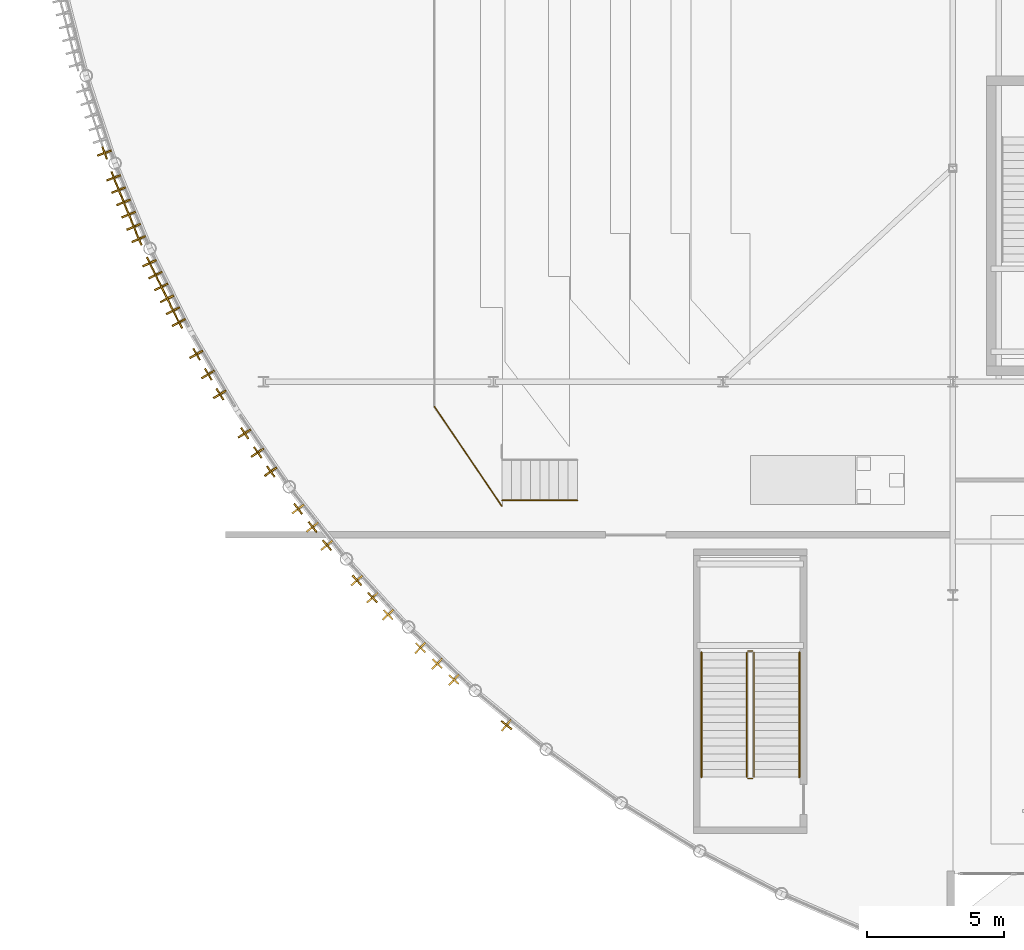
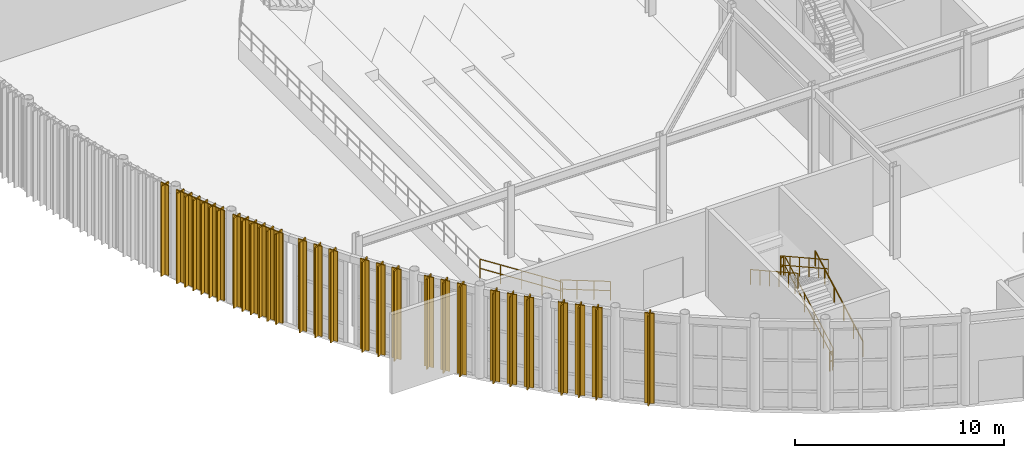
# One storey, part 77 of 87: 29 coverings, 29 shading devices, 8 railings.
"""IFC4 building model written with IfcOpenShell, lengths in metres."""

from ifc_helpers import new_model, si_unit, direction, frame, origin, origin_2d, place, context, subcontext, project, spatial, polyline, rectangle, circle, outline, extrude, material, layer, layer_set, material_profile, profile_set, type_object, element, save


model = new_model("IFC4")

# Units and contexts
model_context = context("Model", 3, precision=1e-05, world=origin(), true_north=direction((0.0, 1.0)))
body_context = subcontext(model_context, "Body", "Model", "MODEL_VIEW")
ifc_project = project(units=[si_unit("LENGTHUNIT", "METRE"), si_unit("AREAUNIT", "SQUARE_METRE"), si_unit("VOLUMEUNIT", "CUBIC_METRE"), si_unit("PLANEANGLEUNIT", "RADIAN"), si_unit("MASSUNIT", "GRAM", prefix="KILO")], contexts=[model_context])

# Site, building, storey
site_placement = place(None, origin())
site = spatial("IfcSite", under=ifc_project, at=site_placement, CompositionType="ELEMENT")
building_placement = place(site_placement, origin())
building = spatial("IfcBuilding", under=site, at=building_placement, Name="Selat Folded Stagehouse", CompositionType="ELEMENT")
storey_placement = place(building_placement, origin())
storey = spatial("IfcBuildingStorey", under=building, at=storey_placement, Name="L00", CompositionType="ELEMENT", Elevation=0.0)

# Coverings
ifc_material_1 = material(Name="Bronze-anodised aluminium 6063-T6", Category="aluminium")
ifc_layer_1 = layer(ifc_material_1, 0.06396484375)
ifc_layer_set_1 = layer_set([ifc_layer_1], Name="Bronze-anodised aluminium 6063-T6")
covering_type = type_object("IfcCoveringType", Name="COV-FIN-BRZ53", PredefinedType="CLADDING", material=ifc_layer_set_1)
covering_1_placement = place(storey_placement, frame((0.0, 0.0, 0.050048828125)))
element("IfcCovering", 1, at=covering_1_placement, inside=storey, type_object=covering_type, Name="L00 drum bronze fin cladding sheath 241", PredefinedType="CLADDING", context=body_context, shape_type="SweptSolid", body=[
    extrude(outline(polyline([(2.824951171875, 31.878173828125), (2.31640625, 31.6962890625), (2.338134765625, 31.635986328125), (2.8466796875, 31.81787109375), (2.824951171875, 31.878173828125)])), origin(), (0.0, 0.0, 1.0), 5.27001953125),
])
covering_2_placement = place(storey_placement, frame((0.0, 0.0, 0.050048828125)))
element("IfcCovering", 2, at=covering_2_placement, inside=storey, type_object=covering_type, Name="L00 drum bronze fin cladding sheath 247", PredefinedType="CLADDING", context=body_context, shape_type="SweptSolid", body=[
    extrude(outline(polyline([(3.1572265625, 30.975830078125), (2.652587890625, 30.78369140625), (2.67529296875, 30.72412109375), (3.179931640625, 30.916015625), (3.1572265625, 30.975830078125)])), origin(), (0.0, 0.0, 1.0), 5.27001953125),
])
covering_3_placement = place(storey_placement, frame((0.0, 0.0, 0.050048828125)))
element("IfcCovering", 3, at=covering_3_placement, inside=storey, type_object=covering_type, Name="L00 drum bronze fin cladding sheath 253", PredefinedType="CLADDING", context=body_context, shape_type="SweptSolid", body=[
    extrude(outline(polyline([(3.339111328125, 30.530517578125), (2.83642578125, 30.33349609375), (2.85986328125, 30.27392578125), (3.362548828125, 30.470947265625), (3.339111328125, 30.530517578125)])), origin(), (0.0, 0.0, 1.0), 5.27001953125),
])
covering_4_placement = place(storey_placement, frame((0.0, 0.0, 0.050048828125)))
element("IfcCovering", 4, at=covering_4_placement, inside=storey, type_object=covering_type, Name="L00 drum bronze fin cladding sheath 259", PredefinedType="CLADDING", context=body_context, shape_type="SweptSolid", body=[
    extrude(outline(polyline([(3.521240234375, 30.085205078125), (3.0205078125, 29.883056640625), (3.04443359375, 29.82373046875), (3.545166015625, 30.02587890625), (3.521240234375, 30.085205078125)])), origin(), (0.0, 0.0, 1.0), 5.27001953125),
])
covering_5_placement = place(storey_placement, frame((0.0, 0.0, 0.050048828125)))
element("IfcCovering", 5, at=covering_5_placement, inside=storey, type_object=covering_type, Name="L00 drum bronze fin cladding sheath 265", PredefinedType="CLADDING", context=body_context, shape_type="SweptSolid", body=[
    extrude(outline(polyline([(3.703125, 29.639892578125), (3.20458984375, 29.4326171875), (3.22900390625, 29.37353515625), (3.727783203125, 29.580810546875), (3.703125, 29.639892578125)])), origin(), (0.0, 0.0, 1.0), 5.27001953125),
])
covering_6_placement = place(storey_placement, frame((0.0, 0.0, 0.050048828125)))
element("IfcCovering", 6, at=covering_6_placement, inside=storey, type_object=covering_type, Name="L00 drum bronze fin cladding sheath 271", PredefinedType="CLADDING", context=body_context, shape_type="SweptSolid", body=[
    extrude(outline(polyline([(3.885009765625, 29.194580078125), (3.388427734375, 28.982421875), (3.413818359375, 28.923583984375), (3.910400390625, 29.135498046875), (3.885009765625, 29.194580078125)])), origin(), (0.0, 0.0, 1.0), 5.27001953125),
])
covering_7_placement = place(storey_placement, frame((0.0, 0.0, 0.050048828125)))
element("IfcCovering", 7, at=covering_7_placement, inside=storey, type_object=covering_type, Name="L00 drum bronze fin cladding sheath 277", PredefinedType="CLADDING", context=body_context, shape_type="SweptSolid", body=[
    extrude(outline(polyline([(4.067138671875, 28.7490234375), (3.57275390625, 28.531982421875), (3.598388671875, 28.473388671875), (4.0927734375, 28.6904296875), (4.067138671875, 28.7490234375)])), origin(), (0.0, 0.0, 1.0), 5.27001953125),
])
covering_8_placement = place(storey_placement, frame((0.0, 0.0, 0.050048828125)))
element("IfcCovering", 8, at=covering_8_placement, inside=storey, type_object=covering_type, Name="L00 drum bronze fin cladding sheath 283", PredefinedType="CLADDING", context=body_context, shape_type="SweptSolid", body=[
    extrude(outline(polyline([(4.4619140625, 27.872314453125), (3.9716796875, 27.6455078125), (3.998779296875, 27.58740234375), (4.48876953125, 27.814208984375), (4.4619140625, 27.872314453125)])), origin(), (0.0, 0.0, 1.0), 5.27001953125),
])
covering_9_placement = place(storey_placement, frame((0.0, 0.0, 0.050048828125)))
element("IfcCovering", 9, at=covering_9_placement, inside=storey, type_object=covering_type, Name="L00 drum bronze fin cladding sheath 289", PredefinedType="CLADDING", context=body_context, shape_type="SweptSolid", body=[
    extrude(outline(polyline([(4.674560546875, 27.44091796875), (4.18701171875, 27.208984375), (4.21435546875, 27.151123046875), (4.7021484375, 27.383056640625), (4.674560546875, 27.44091796875)])), origin(), (0.0, 0.0, 1.0), 5.27001953125),
])
covering_10_placement = place(storey_placement, frame((0.0, 0.0, 0.050048828125)))
element("IfcCovering", 10, at=covering_10_placement, inside=storey, type_object=covering_type, Name="L00 drum bronze fin cladding sheath 295", PredefinedType="CLADDING", context=body_context, shape_type="SweptSolid", body=[
    extrude(outline(polyline([(4.887451171875, 27.00927734375), (4.402099609375, 26.772705078125), (4.43017578125, 26.715087890625), (4.915283203125, 26.951904296875), (4.887451171875, 27.00927734375)])), origin(), (0.0, 0.0, 1.0), 5.27001953125),
])
covering_11_placement = place(storey_placement, frame((0.0, 0.0, 0.050048828125)))
element("IfcCovering", 11, at=covering_11_placement, inside=storey, type_object=covering_type, Name="L00 drum bronze fin cladding sheath 301", PredefinedType="CLADDING", context=body_context, shape_type="SweptSolid", body=[
    extrude(outline(polyline([(5.10009765625, 26.577880859375), (4.6171875, 26.336181640625), (4.645751953125, 26.279052734375), (5.12890625, 26.5205078125), (5.10009765625, 26.577880859375)])), origin(), (0.0, 0.0, 1.0), 5.27001953125),
])
covering_12_placement = place(storey_placement, frame((0.0, 0.0, 0.050048828125)))
element("IfcCovering", 12, at=covering_12_placement, inside=storey, type_object=covering_type, Name="L00 drum bronze fin cladding sheath 307", PredefinedType="CLADDING", context=body_context, shape_type="SweptSolid", body=[
    extrude(outline(polyline([(5.31298828125, 26.146484375), (4.83251953125, 25.89990234375), (4.861572265625, 25.843017578125), (5.342041015625, 26.08935546875), (5.31298828125, 26.146484375)])), origin(), (0.0, 0.0, 1.0), 5.27001953125),
])
covering_13_placement = place(storey_placement, frame((0.0, 0.0, 0.050048828125)))
element("IfcCovering", 13, at=covering_13_placement, inside=storey, type_object=covering_type, Name="L00 drum bronze fin cladding sheath 313", PredefinedType="CLADDING", context=body_context, shape_type="SweptSolid", body=[
    extrude(outline(polyline([(5.525634765625, 25.71484375), (5.047607421875, 25.463623046875), (5.077392578125, 25.406982421875), (5.555419921875, 25.658203125), (5.525634765625, 25.71484375)])), origin(), (0.0, 0.0, 1.0), 5.27001953125),
])
covering_14_placement = place(storey_placement, frame((0.0, 0.0, 0.050048828125)))
element("IfcCovering", 14, at=covering_14_placement, inside=storey, type_object=covering_type, Name="L00 drum bronze fin cladding sheath 319", PredefinedType="CLADDING", context=body_context, shape_type="SweptSolid", body=[
    extrude(outline(polyline([(6.162841796875, 24.556396484375), (5.69189453125, 24.2919921875), (5.72314453125, 24.236083984375), (6.194091796875, 24.50048828125), (6.162841796875, 24.556396484375)])), origin(), (0.0, 0.0, 1.0), 5.27001953125),
])
covering_15_placement = place(storey_placement, frame((0.0, 0.0, 0.050048828125)))
element("IfcCovering", 15, at=covering_15_placement, inside=storey, type_object=covering_type, Name="L00 drum bronze fin cladding sheath 325", PredefinedType="CLADDING", context=body_context, shape_type="SweptSolid", body=[
    extrude(outline(polyline([(6.587158203125, 23.8291015625), (6.12109375, 23.556640625), (6.1533203125, 23.50146484375), (6.619384765625, 23.77392578125), (6.587158203125, 23.8291015625)])), origin(), (0.0, 0.0, 1.0), 5.27001953125),
])
covering_16_placement = place(storey_placement, frame((0.0, 0.0, 0.050048828125)))
element("IfcCovering", 16, at=covering_16_placement, inside=storey, type_object=covering_type, Name="L00 drum bronze fin cladding sheath 331", PredefinedType="CLADDING", context=body_context, shape_type="SweptSolid", body=[
    extrude(outline(polyline([(7.01171875, 23.10205078125), (6.55029296875, 22.8212890625), (6.58349609375, 22.7666015625), (7.044921875, 23.04736328125), (7.01171875, 23.10205078125)])), origin(), (0.0, 0.0, 1.0), 5.27001953125),
])
covering_17_placement = place(storey_placement, frame((0.0, 0.0, 0.050048828125)))
element("IfcCovering", 17, at=covering_17_placement, inside=storey, type_object=covering_type, Name="L00 drum bronze fin cladding sheath 337", PredefinedType="CLADDING", context=body_context, shape_type="SweptSolid", body=[
    extrude(outline(polyline([(7.910400390625, 21.679443359375), (7.458984375, 21.3828125), (7.494384765625, 21.329345703125), (7.945556640625, 21.6259765625), (7.910400390625, 21.679443359375)])), origin(), (0.0, 0.0, 1.0), 5.27001953125),
])
covering_18_placement = place(storey_placement, frame((0.0, 0.0, 0.050048828125)))
element("IfcCovering", 18, at=covering_18_placement, inside=storey, type_object=covering_type, Name="L00 drum bronze fin cladding sheath 343", PredefinedType="CLADDING", context=body_context, shape_type="SweptSolid", body=[
    extrude(outline(polyline([(8.384765625, 20.98388671875), (7.938720703125, 20.67919921875), (7.974853515625, 20.62646484375), (8.4208984375, 20.930908203125), (8.384765625, 20.98388671875)])), origin(), (0.0, 0.0, 1.0), 5.27001953125),
])
covering_19_placement = place(storey_placement, frame((0.0, 0.0, 0.050048828125)))
element("IfcCovering", 19, at=covering_19_placement, inside=storey, type_object=covering_type, Name="L00 drum bronze fin cladding sheath 349", PredefinedType="CLADDING", context=body_context, shape_type="SweptSolid", body=[
    extrude(outline(polyline([(8.85888671875, 20.288330078125), (8.41845703125, 19.97607421875), (8.45556640625, 19.923828125), (8.89599609375, 20.236083984375), (8.85888671875, 20.288330078125)])), origin(), (0.0, 0.0, 1.0), 5.27001953125),
])
covering_20_placement = place(storey_placement, frame((0.0, 0.0, 0.050048828125)))
element("IfcCovering", 20, at=covering_20_placement, inside=storey, type_object=covering_type, Name="L00 drum bronze fin cladding sheath 355", PredefinedType="CLADDING", context=body_context, shape_type="SweptSolid", body=[
    extrude(outline(polyline([(9.855224609375, 18.93212890625), (9.426025390625, 18.6044921875), (9.46484375, 18.5537109375), (9.89404296875, 18.88134765625), (9.855224609375, 18.93212890625)])), origin(), (0.0, 0.0, 1.0), 5.27001953125),
])
covering_21_placement = place(storey_placement, frame((0.0, 0.0, 0.050048828125)))
element("IfcCovering", 21, at=covering_21_placement, inside=storey, type_object=covering_type, Name="L00 drum bronze fin cladding sheath 361", PredefinedType="CLADDING", context=body_context, shape_type="SweptSolid", body=[
    extrude(outline(polyline([(10.377197265625, 18.271484375), (9.953857421875, 17.9365234375), (9.993408203125, 17.88623046875), (10.4169921875, 18.221435546875), (10.377197265625, 18.271484375)])), origin(), (0.0, 0.0, 1.0), 5.27001953125),
])
covering_22_placement = place(storey_placement, frame((0.0, 0.0, 0.050048828125)))
element("IfcCovering", 22, at=covering_22_placement, inside=storey, type_object=covering_type, Name="L00 drum bronze fin cladding sheath 367", PredefinedType="CLADDING", context=body_context, shape_type="SweptSolid", body=[
    extrude(outline(polyline([(10.899169921875, 17.611083984375), (10.481689453125, 17.2685546875), (10.522216796875, 17.218994140625), (10.939697265625, 17.5615234375), (10.899169921875, 17.611083984375)])), origin(), (0.0, 0.0, 1.0), 5.27001953125),
])
covering_23_placement = place(storey_placement, frame((0.0, 0.0, 0.050048828125)))
element("IfcCovering", 23, at=covering_23_placement, inside=storey, type_object=covering_type, Name="L00 drum bronze fin cladding sheath 373", PredefinedType="CLADDING", context=body_context, shape_type="SweptSolid", body=[
    extrude(outline(polyline([(11.98828125, 16.328125), (11.5830078125, 15.97119140625), (11.625244140625, 15.923095703125), (12.030517578125, 16.280029296875), (11.98828125, 16.328125)])), origin(), (0.0, 0.0, 1.0), 5.27001953125),
])
covering_24_placement = place(storey_placement, frame((0.0, 0.0, 0.050048828125)))
element("IfcCovering", 24, at=covering_24_placement, inside=storey, type_object=covering_type, Name="L00 drum bronze fin cladding sheath 379", PredefinedType="CLADDING", context=body_context, shape_type="SweptSolid", body=[
    extrude(outline(polyline([(12.555419921875, 15.705810546875), (12.15625, 15.341796875), (12.199462890625, 15.294677734375), (12.598388671875, 15.658447265625), (12.555419921875, 15.705810546875)])), origin(), (0.0, 0.0, 1.0), 5.27001953125),
])
covering_25_placement = place(storey_placement, frame((0.0, 0.0, 0.050048828125)))
element("IfcCovering", 25, at=covering_25_placement, inside=storey, type_object=covering_type, Name="L00 drum bronze fin cladding sheath 385", PredefinedType="CLADDING", context=body_context, shape_type="SweptSolid", body=[
    extrude(outline(polyline([(13.122314453125, 15.08349609375), (12.729736328125, 14.712646484375), (12.773681640625, 14.666015625), (13.166259765625, 15.037109375), (13.122314453125, 15.08349609375)])), origin(), (0.0, 0.0, 1.0), 5.27001953125),
])
covering_26_placement = place(storey_placement, frame((0.0, 0.0, 0.050048828125)))
element("IfcCovering", 26, at=covering_26_placement, inside=storey, type_object=covering_type, Name="L00 drum bronze fin cladding sheath 391", PredefinedType="CLADDING", context=body_context, shape_type="SweptSolid", body=[
    extrude(outline(polyline([(14.298583984375, 13.880126953125), (13.919189453125, 13.49560546875), (13.96484375, 13.45068359375), (14.343994140625, 13.835205078125), (14.298583984375, 13.880126953125)])), origin(), (0.0, 0.0, 1.0), 5.27001953125),
])
covering_27_placement = place(storey_placement, frame((0.0, 0.0, 0.050048828125)))
element("IfcCovering", 27, at=covering_27_placement, inside=storey, type_object=covering_type, Name="L00 drum bronze fin cladding sheath 397", PredefinedType="CLADDING", context=body_context, shape_type="SweptSolid", body=[
    extrude(outline(polyline([(14.90771484375, 13.299072265625), (14.535400390625, 12.908203125), (14.581787109375, 12.864013671875), (14.9541015625, 13.2548828125), (14.90771484375, 13.299072265625)])), origin(), (0.0, 0.0, 1.0), 5.27001953125),
])
covering_28_placement = place(storey_placement, frame((0.0, 0.0, 0.050048828125)))
element("IfcCovering", 28, at=covering_28_placement, inside=storey, type_object=covering_type, Name="L00 drum bronze fin cladding sheath 403", PredefinedType="CLADDING", context=body_context, shape_type="SweptSolid", body=[
    extrude(outline(polyline([(15.51708984375, 12.718017578125), (15.151611328125, 12.320556640625), (15.19873046875, 12.277099609375), (15.564208984375, 12.6748046875), (15.51708984375, 12.718017578125)])), origin(), (0.0, 0.0, 1.0), 5.27001953125),
])
covering_29_placement = place(storey_placement, frame((0.0, 0.0, 0.050048828125)))
element("IfcCovering", 29, at=covering_29_placement, inside=storey, type_object=covering_type, Name="L00 drum bronze fin cladding sheath 409", PredefinedType="CLADDING", context=body_context, shape_type="SweptSolid", body=[
    extrude(outline(polyline([(17.42333984375, 11.0634765625), (17.079345703125, 10.647216796875), (17.128662109375, 10.6064453125), (17.47265625, 11.022705078125), (17.42333984375, 11.0634765625)])), origin(), (0.0, 0.0, 1.0), 5.27001953125),
])

# Railings
ifc_material_2 = material(Name="Bronze-anodised steel balustrade", Category="steel")
ifc_layer_2 = layer(ifc_material_2, 0.06494140625)
ifc_layer_set_2 = layer_set([ifc_layer_2], Name="Bronze-anodised steel balustrade")
railing_type_1 = type_object("IfcRailingType", Name="RLG-BAL-1120", PredefinedType="BALUSTRADE", material=ifc_layer_set_2)
railing_1_placement = place(storey_placement, frame((17.110107421875, 18.85009765625, 1.215087890625)))
element("IfcRailing", 30, at=railing_1_placement, inside=storey, type_object=railing_type_1, Name="L00 protective guard railing 011", PredefinedType="BALUSTRADE", context=body_context, shape_type="SweptSolid", body=[
    extrude(circle(Radius=0.02392578125, at=origin_2d()), frame((0.0, 0.0, 1.09619140625), z_axis=(-0.560398013003, 0.828223440276, 0.0), x_axis=(-0.828223440276, -0.560398013003, 0.0)), (0.0, 0.0, 1.0), 4.39013671875),
    extrude(circle(Radius=0.02392578125, at=origin_2d()), frame((0.0, 0.0, 0.56005859375), z_axis=(-0.560398013003, 0.828223440276, 0.0), x_axis=(-0.828223440276, -0.560398013003, 0.0)), (0.0, 0.0, 1.0), 4.39013671875),
    extrude(circle(Radius=0.02099609375, at=origin_2d()), origin(), (0.0, 0.0, 1.0), 1.072021484375),
    extrude(circle(Radius=0.02099609375, at=origin_2d()), frame((-0.614990234375, 0.908935546875, 0.0)), (0.0, 0.0, 1.0), 1.072021484375),
    extrude(circle(Radius=0.02099609375, at=origin_2d()), frame((-1.22998046875, 1.81787109375, 0.0)), (0.0, 0.0, 1.0), 1.072021484375),
    extrude(circle(Radius=0.02099609375, at=origin_2d()), frame((-1.84521484375, 2.72705078125, 0.0)), (0.0, 0.0, 1.0), 1.072021484375),
    extrude(circle(Radius=0.02099609375, at=origin_2d()), frame((-2.460205078125, 3.635986328125, 0.0)), (0.0, 0.0, 1.0), 1.072021484375),
])
railing_2_placement = place(storey_placement, frame((26.330078125, 8.93994140625, 0.158935546875)))
element("IfcRailing", 31, at=railing_2_placement, inside=storey, type_object=railing_type_1, Name="L00 ST-09 stair well guard 1", PredefinedType="BALUSTRADE", context=body_context, shape_type="SweptSolid", body=[
    extrude(circle(Radius=0.02392578125, at=origin_2d()), frame((0.0, 0.0, 1.09619140625), z_axis=(0.0, 0.873534455015, 0.486762319723), x_axis=(-1.0, 0.0, 0.0)), (0.0, 0.0, 1.0), 5.22021484375),
    extrude(circle(Radius=0.02392578125, at=origin_2d()), frame((0.0, 0.0, 0.56005859375), z_axis=(0.0, 0.873534455015, 0.486762319723), x_axis=(-1.0, 0.0, 0.0)), (0.0, 0.0, 1.0), 5.22021484375),
    extrude(circle(Radius=0.02099609375, at=origin_2d()), origin(), (0.0, 0.0, 1.0), 1.072021484375),
    extrude(circle(Radius=0.02099609375, at=origin_2d()), frame((0.0, 0.912109375, 0.50830078125)), (0.0, 0.0, 1.0), 1.072021484375),
    extrude(circle(Radius=0.02099609375, at=origin_2d()), frame((0.0, 1.823974609375, 1.016357421875)), (0.0, 0.0, 1.0), 1.072021484375),
    extrude(circle(Radius=0.02099609375, at=origin_2d()), frame((0.0, 2.736083984375, 1.524658203125)), (0.0, 0.0, 1.0), 1.072021484375),
    extrude(circle(Radius=0.02099609375, at=origin_2d()), frame((0.0, 3.64794921875, 2.03271484375)), (0.0, 0.0, 1.0), 1.072021484375),
    extrude(circle(Radius=0.02099609375, at=origin_2d()), frame((0.0, 4.56005859375, 2.541015625)), (0.0, 0.0, 1.0), 1.072021484375),
])
railing_3_placement = place(storey_placement, frame((26.280029296875, 13.550048828125, 2.699951171875)))
element("IfcRailing", 32, at=railing_3_placement, inside=storey, type_object=railing_type_1, Name="L00 ST-09 stair well guard 2", PredefinedType="BALUSTRADE", context=body_context, shape_type="SweptSolid", body=[
    extrude(circle(Radius=0.02392578125, at=origin_2d()), frame((0.0, 0.0, 1.09619140625), z_axis=(-1.0, 0.0, 0.0), x_axis=(0.0, -1.0, 0.0)), (0.0, 0.0, 1.0), 0.159912109375),
    extrude(circle(Radius=0.02392578125, at=origin_2d()), frame((0.0, 0.0, 0.56005859375), z_axis=(-1.0, 0.0, 0.0), x_axis=(0.0, -1.0, 0.0)), (0.0, 0.0, 1.0), 0.159912109375),
    extrude(circle(Radius=0.02099609375, at=origin_2d()), origin(), (0.0, 0.0, 1.0), 1.072021484375),
    extrude(circle(Radius=0.02099609375, at=origin_2d()), frame((-0.159912109375, 0.0, 0.0)), (0.0, 0.0, 1.0), 1.072021484375),
])
railing_4_placement = place(storey_placement, frame((26.070068359375, 13.5, 2.85888671875)))
element("IfcRailing", 33, at=railing_4_placement, inside=storey, type_object=railing_type_1, Name="L00 ST-09 stair well guard 3", PredefinedType="BALUSTRADE", context=body_context, shape_type="SweptSolid", body=[
    extrude(circle(Radius=0.02392578125, at=origin_2d()), frame((0.0, 0.0, 1.09619140625), z_axis=(0.0, -0.873534455015, 0.486762319723), x_axis=(1.0, 0.0, 0.0)), (0.0, 0.0, 1.0), 5.22021484375),
    extrude(circle(Radius=0.02392578125, at=origin_2d()), frame((0.0, 0.0, 0.56005859375), z_axis=(0.0, -0.873534455015, 0.486762319723), x_axis=(1.0, 0.0, 0.0)), (0.0, 0.0, 1.0), 5.22021484375),
    extrude(circle(Radius=0.02099609375, at=origin_2d()), origin(), (0.0, 0.0, 1.0), 1.072021484375),
    extrude(circle(Radius=0.02099609375, at=origin_2d()), frame((0.0, -0.912109375, 0.50830078125)), (0.0, 0.0, 1.0), 1.072021484375),
    extrude(circle(Radius=0.02099609375, at=origin_2d()), frame((0.0, -1.823974609375, 1.016357421875)), (0.0, 0.0, 1.0), 1.072021484375),
    extrude(circle(Radius=0.02099609375, at=origin_2d()), frame((0.0, -2.736083984375, 1.524658203125)), (0.0, 0.0, 1.0), 1.072021484375),
    extrude(circle(Radius=0.02099609375, at=origin_2d()), frame((0.0, -3.64794921875, 2.03271484375)), (0.0, 0.0, 1.0), 1.072021484375),
    extrude(circle(Radius=0.02099609375, at=origin_2d()), frame((0.0, -4.56005859375, 2.541015625)), (0.0, 0.0, 1.0), 1.072021484375),
])
railing_5_placement = place(storey_placement, frame((26.280029296875, 8.889892578125, 0.0)))
element("IfcRailing", 34, at=railing_5_placement, inside=storey, type_object=railing_type_1, Name="L00 ST-09 stair well guard 4", PredefinedType="BALUSTRADE", context=body_context, shape_type="SweptSolid", body=[
    extrude(circle(Radius=0.02392578125, at=origin_2d()), frame((0.0, 0.0, 1.09619140625), z_axis=(-1.0, 0.0, 0.0), x_axis=(0.0, -1.0, 0.0)), (0.0, 0.0, 1.0), 0.159912109375),
    extrude(circle(Radius=0.02392578125, at=origin_2d()), frame((0.0, 0.0, 0.56005859375), z_axis=(-1.0, 0.0, 0.0), x_axis=(0.0, -1.0, 0.0)), (0.0, 0.0, 1.0), 0.159912109375),
    extrude(circle(Radius=0.02099609375, at=origin_2d()), origin(), (0.0, 0.0, 1.0), 1.072021484375),
    extrude(circle(Radius=0.02099609375, at=origin_2d()), frame((-0.159912109375, 0.0, 0.0)), (0.0, 0.0, 1.0), 1.072021484375),
])
railing_6_placement = place(storey_placement, frame((19.8798828125, 19.06005859375, 0.159912109375)))
element("IfcRailing", 35, at=railing_6_placement, inside=storey, type_object=railing_type_1, Name="L00 aisle stair balustrade STA-MT-L00-S-S", PredefinedType="BALUSTRADE", context=body_context, shape_type="SweptSolid", body=[
    extrude(circle(Radius=0.02392578125, at=origin_2d()), frame((0.0, 0.0, 1.09619140625), z_axis=(-0.93405507767, 0.0, 0.357128984933), x_axis=(0.0, -1.0, 0.0)), (0.0, 0.0, 1.0), 2.95458984375),
    extrude(circle(Radius=0.02392578125, at=origin_2d()), frame((0.0, 0.0, 0.56005859375), z_axis=(-0.93405507767, 0.0, 0.357128984933), x_axis=(0.0, -1.0, 0.0)), (0.0, 0.0, 1.0), 2.95458984375),
    extrude(circle(Radius=0.02099609375, at=origin_2d()), origin(), (0.0, 0.0, 1.0), 1.072021484375),
    extrude(circle(Radius=0.02099609375, at=origin_2d()), frame((-0.919921875, 0.0, 0.351806640625)), (0.0, 0.0, 1.0), 1.072021484375),
    extrude(circle(Radius=0.02099609375, at=origin_2d()), frame((-1.83984375, 0.0, 0.703369140625)), (0.0, 0.0, 1.0), 1.072021484375),
    extrude(circle(Radius=0.02099609375, at=origin_2d()), frame((-2.759765625, 0.0, 1.05517578125)), (0.0, 0.0, 1.0), 1.072021484375),
])
ifc_material_3 = material(Name="Brushed stainless steel 1.4301", Category="steel")
ifc_layer_3 = layer(ifc_material_3, 0.048095703125)
ifc_layer_set_3 = layer_set([ifc_layer_3], Name="Brushed stainless steel 1.4301")
railing_type_2 = type_object("IfcRailingType", Name="RLG-HANDRAIL-900", PredefinedType="HANDRAIL", material=ifc_layer_set_3)
railing_7_placement = place(storey_placement, frame((27.989990234375, 8.93994140625, 0.158935546875)))
element("IfcRailing", 36, at=railing_7_placement, inside=storey, type_object=railing_type_2, Name="L00 ST-09 wall handrail 1", PredefinedType="HANDRAIL", context=body_context, shape_type="SweptSolid", body=[
    extrude(circle(Radius=0.02392578125, at=origin_2d()), frame((0.0, 0.0, 0.8759765625), z_axis=(0.0, 0.873534455015, 0.486762319723), x_axis=(-1.0, 0.0, 0.0)), (0.0, 0.0, 1.0), 5.22021484375),
    extrude(circle(Radius=0.02099609375, at=origin_2d()), origin(), (0.0, 0.0, 1.0), 0.851806640625),
    extrude(circle(Radius=0.02099609375, at=origin_2d()), frame((0.0, 0.912109375, 0.50830078125)), (0.0, 0.0, 1.0), 0.851806640625),
    extrude(circle(Radius=0.02099609375, at=origin_2d()), frame((0.0, 1.823974609375, 1.016357421875)), (0.0, 0.0, 1.0), 0.851806640625),
    extrude(circle(Radius=0.02099609375, at=origin_2d()), frame((0.0, 2.736083984375, 1.524658203125)), (0.0, 0.0, 1.0), 0.851806640625),
    extrude(circle(Radius=0.02099609375, at=origin_2d()), frame((0.0, 3.64794921875, 2.03271484375)), (0.0, 0.0, 1.0), 0.851806640625),
    extrude(circle(Radius=0.02099609375, at=origin_2d()), frame((0.0, 4.56005859375, 2.541015625)), (0.0, 0.0, 1.0), 0.851806640625),
])
railing_8_placement = place(storey_placement, frame((24.409912109375, 13.5, 2.85888671875)))
element("IfcRailing", 37, at=railing_8_placement, inside=storey, type_object=railing_type_2, Name="L00 ST-09 wall handrail 2", PredefinedType="HANDRAIL", context=body_context, shape_type="SweptSolid", body=[
    extrude(circle(Radius=0.02392578125, at=origin_2d()), frame((0.0, 0.0, 0.8759765625), z_axis=(0.0, -0.873534455015, 0.486762319723), x_axis=(1.0, 0.0, 0.0)), (0.0, 0.0, 1.0), 5.22021484375),
    extrude(circle(Radius=0.02099609375, at=origin_2d()), origin(), (0.0, 0.0, 1.0), 0.851806640625),
    extrude(circle(Radius=0.02099609375, at=origin_2d()), frame((0.0, -0.912109375, 0.50830078125)), (0.0, 0.0, 1.0), 0.851806640625),
    extrude(circle(Radius=0.02099609375, at=origin_2d()), frame((0.0, -1.823974609375, 1.016357421875)), (0.0, 0.0, 1.0), 0.851806640625),
    extrude(circle(Radius=0.02099609375, at=origin_2d()), frame((0.0, -2.736083984375, 1.524658203125)), (0.0, 0.0, 1.0), 0.851806640625),
    extrude(circle(Radius=0.02099609375, at=origin_2d()), frame((0.0, -3.64794921875, 2.03271484375)), (0.0, 0.0, 1.0), 0.851806640625),
    extrude(circle(Radius=0.02099609375, at=origin_2d()), frame((0.0, -4.56005859375, 2.541015625)), (0.0, 0.0, 1.0), 0.851806640625),
])

# Shading devices
ifc_material_profile = material_profile(ifc_material_1, rectangle(XDim=0.06005859375, YDim=0.47998046875, at=origin_2d()), Name="SOLAR-FIN 480x60")
ifc_profile_set = profile_set([ifc_material_profile], Name="Bronze-anodised aluminium 6063-T6")
shading_device_type = type_object("IfcShadingDeviceType", Name="SHD-FIN-480x60", PredefinedType="USERDEFINED", material=ifc_profile_set)
for number, where, z_axis, x_axis, name in (
    (38, (2.591064453125, 31.760498046875, 0.050048828125), (0.0, 0.0, 1.0), (-0.941588155895, -0.336766602676, 0.0), "L00 drum vertical bronze solar fin 241"),
    (39, (2.925537109375, 30.853515625, 0.050048828125), (0.0, 0.0, 1.0), (-0.93463961469, -0.355596387288, 0.0), "L00 drum vertical bronze solar fin 247"),
    (40, (3.10888671875, 30.40576171875, 0.050048828125), (0.0, 0.0, 1.0), (-0.931055815863, -0.364876784338, 0.0), "L00 drum vertical bronze solar fin 253"),
    (41, (3.2919921875, 29.958251953125, 0.050048828125), (0.0, 0.0, 1.0), (-0.927314560446, -0.374282922379, 0.0), "L00 drum vertical bronze solar fin 259"),
    (42, (3.475341796875, 29.510498046875, 0.050048828125), (0.0, 0.0, 1.0), (-0.923545226472, -0.383489523534, 0.0), "L00 drum vertical bronze solar fin 265"),
    (43, (3.65869140625, 29.06298828125, 0.050048828125), (0.0, 0.0, 1.0), (-0.91961594401, -0.392818680211, 0.0), "L00 drum vertical bronze solar fin 271"),
    (44, (3.841796875, 28.615234375, 0.050048828125), (0.0, 0.0, 1.0), (-0.91566259334, -0.401947776656, 0.0), "L00 drum vertical bronze solar fin 277"),
    (45, (4.239501953125, 27.73388671875, 0.050048828125), (0.0, 0.0, 1.0), (-0.907411091929, -0.420244107924, 0.0), "L00 drum vertical bronze solar fin 283"),
    (46, (4.45361328125, 27.30029296875, 0.050048828125), (0.0, 0.0, 1.0), (-0.903185511225, -0.429250430767, 0.0), "L00 drum vertical bronze solar fin 289"),
    (47, (4.667724609375, 26.86669921875, 0.050048828125), (0.0, 0.0, 1.0), (-0.898794046299, -0.438371146789, 0.0), "L00 drum vertical bronze solar fin 295"),
    (48, (4.8818359375, 26.432861328125, 0.050048828125), (0.0, 0.0, 1.0), (-0.89438856037, -0.447290848419, 0.0), "L00 drum vertical bronze solar fin 301"),
    (49, (5.09619140625, 25.999267578125, 0.050048828125), (0.0, 0.0, 1.0), (-0.889814927768, -0.4563215909, 0.0), "L00 drum vertical bronze solar fin 307"),
    (50, (5.310302734375, 25.565673828125, 0.050048828125), (0.0, 0.0, 1.0), (-0.885231311332, -0.465151078077, 0.0), "L00 drum vertical bronze solar fin 313"),
    (51, (5.951904296875, 24.401123046875, 0.050048828125), (0.0, 0.0, 1.0), (-0.872069272432, -0.489382451749, 0.0), "L00 drum vertical bronze solar fin 319"),
    (52, (6.37890625, 23.67041015625, 0.050048828125), (0.0, 0.0, 1.0), (-0.863307480775, -0.504678307081, 0.0), "L00 drum vertical bronze solar fin 325"),
    (53, (6.80615234375, 22.939697265625, 0.050048828125), (0.0, 0.0, 1.0), (-0.854368143929, -0.519668235165, 0.0), "L00 drum vertical bronze solar fin 331"),
    (54, (7.710693359375, 21.509765625, 0.050048828125), (0.0, 0.0, 1.0), (-0.835615665335, -0.549314536351, 0.0), "L00 drum vertical bronze solar fin 337"),
    (55, (8.18798828125, 20.810791015625, 0.050048828125), (0.0, 0.0, 1.0), (-0.82580311972, -0.563958515726, 0.0), "L00 drum vertical bronze solar fin 343"),
    (56, (8.665283203125, 20.11181640625, 0.050048828125), (0.0, 0.0, 1.0), (-0.815733970499, -0.578427255041, 0.0), "L00 drum vertical bronze solar fin 349"),
    (57, (9.66796875, 18.7490234375, 0.050048828125), (0.0, 0.0, 1.0), (-0.794944353388, -0.606682351002, 0.0), "L00 drum vertical bronze solar fin 355"),
    (58, (10.193115234375, 18.085205078125, 0.050048828125), (0.0, 0.0, 1.0), (-0.784235212544, -0.620463642292, 0.0), "L00 drum vertical bronze solar fin 361"),
    (59, (10.718505859375, 17.42138671875, 0.050048828125), (0.0, 0.0, 1.0), (-0.773176510644, -0.634190888762, 0.0), "L00 drum vertical bronze solar fin 367"),
    (60, (11.814208984375, 16.13232421875, 0.050048828125), (0.0, 0.0, 1.0), (-0.750457228874, -0.660919017453, 0.0), "L00 drum vertical bronze solar fin 373"),
    (61, (12.384765625, 15.5068359375, 0.050048828125), (0.0, 0.0, 1.0), (-0.738690671568, -0.674044576967, 0.0), "L00 drum vertical bronze solar fin 379"),
    (62, (12.955322265625, 14.881591796875, 0.050048828125), (0.0, 0.0, 1.0), (-0.726814465487, -0.686833846544, 0.0), "L00 drum vertical bronze solar fin 385"),
    (63, (14.138916015625, 13.672607421875, 0.050048828125), (0.0, 0.0, 1.0), (-0.702277314289, -0.711903486321, 0.0), "L00 drum vertical bronze solar fin 391"),
    (64, (14.751708984375, 13.0888671875, 0.050048828125), (0.0, 0.0, 1.0), (-0.689619543736, -0.724171861437, 0.0), "L00 drum vertical bronze solar fin 397"),
    (65, (15.36474609375, 12.5048828125, 0.050048828125), (0.0, 0.0, 1.0), (-0.676875969683, -0.73609708712, 0.0), "L00 drum vertical bronze solar fin 403"),
    (66, (17.282470703125, 10.842529296875, 0.050048828125), (0.0, 0.0, 1.0), (-0.63715499106, -0.770735698776, 0.0), "L00 drum vertical bronze solar fin 409"),
):
    element("IfcShadingDevice", number, at=place(storey_placement, frame(where, z_axis=z_axis, x_axis=x_axis)), inside=storey, type_object=shading_device_type, Name=name, ObjectType="FIN", PredefinedType="USERDEFINED", context=body_context, shape_type="SweptSolid", body=[
        extrude(rectangle(XDim=0.06005859375, YDim=0.47998046875, at=origin_2d()), origin(), (0.0, 0.0, 1.0), 5.27001953125),
    ])

save(model, "model.ifc")
